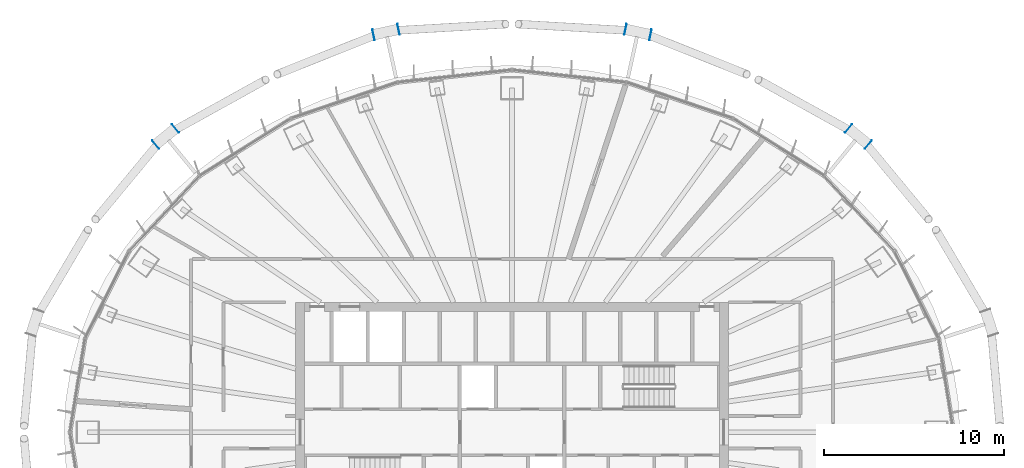
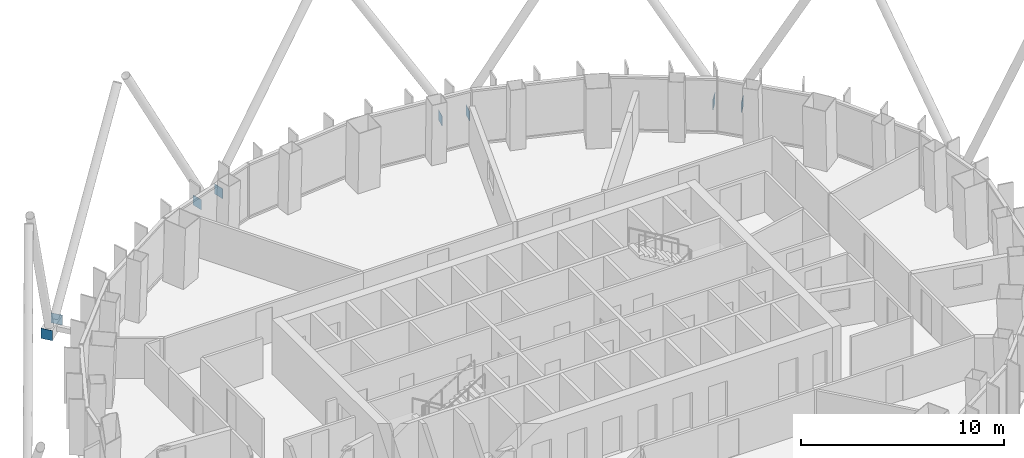
# One storey, part 14 of 18: 8 discrete accessories.
"""IFC4 building model written with IfcOpenShell, lengths in metres."""

from ifc_helpers import new_model, si_unit, direction, frame, origin, origin_2d, place, context, subcontext, project, spatial, rectangle, extrude, material, layer, layer_set, type_object, element, save


model = new_model("IFC4")

# Units and contexts
model_context = context("Model", 3, precision=1e-05, world=origin(), true_north=direction((0.0, 1.0)))
body_context = subcontext(model_context, "Body", "Model", "MODEL_VIEW")
ifc_project = project(units=[si_unit("LENGTHUNIT", "METRE"), si_unit("AREAUNIT", "SQUARE_METRE"), si_unit("VOLUMEUNIT", "CUBIC_METRE"), si_unit("PLANEANGLEUNIT", "RADIAN"), si_unit("MASSUNIT", "GRAM", prefix="KILO")], contexts=[model_context])

# Site, building, storey
site_placement = place(None, origin())
site = spatial("IfcSite", under=ifc_project, at=site_placement, CompositionType="ELEMENT")
building_placement = place(site_placement, origin())
building = spatial("IfcBuilding", under=site, at=building_placement, Name="Siaravel Broadcast Tower", CompositionType="ELEMENT")
storey_placement = place(building_placement, frame((0.0, 0.0, 141.5)))
storey = spatial("IfcBuildingStorey", under=building, at=storey_placement, Name="L34", CompositionType="ELEMENT", Elevation=141.5)

# Discrete accessories
ifc_material = material(Name="Steel S355", Category="steel")
ifc_layer = layer(ifc_material, 0.02001953125)
ifc_layer_set = layer_set([ifc_layer], Name="Steel S355")
discrete_accessory_type = type_object("IfcDiscreteAccessoryType", Name="Steel end plate 20 mm", PredefinedType="USERDEFINED", material=ifc_layer_set)
for number, where, z_axis, x_axis, name in (
    (1, (18.660888671875, 16.8466796875, -0.5), (0.0, 0.0, 1.0), (-0.773602482, 0.633671208, 0.0), "End plate R14 station 09A"),
    (2, (19.759033203125, 15.947265625, -0.5), (0.0, 0.0, 1.0), (-0.773602482, 0.633671208, 0.0), "End plate R14 station 09B"),
    (3, (6.292236328125, 22.3427734375, -0.5), (0.0, 0.0, 1.0), (-0.976750543, 0.214379048, 0.0), "End plate R14 station 15A"),
    (4, (7.678955078125, 22.038330078125, -0.5), (0.0, 0.0, 1.0), (-0.976750543, 0.214379048, 0.0), "End plate R14 station 15B"),
    (5, (-7.678955078125, 22.038330078125, -0.5), (0.0, 0.0, 1.0), (-0.976750543, -0.214379048, 0.0), "End plate R14 station 21A"),
    (6, (-6.292236328125, 22.3427734375, -0.5), (0.0, 0.0, 1.0), (-0.976750543, -0.214379048, 0.0), "End plate R14 station 21B"),
    (7, (-19.759033203125, 15.947265625, -0.5), (0.0, 0.0, 1.0), (-0.773602482, -0.633671208, 0.0), "End plate R14 station 27A"),
    (8, (-18.660888671875, 16.8466796875, -0.5), (0.0, 0.0, 1.0), (-0.773602482, -0.633671208, 0.0), "End plate R14 station 27B"),
):
    element("IfcDiscreteAccessory", number, at=place(storey_placement, frame(where, z_axis=z_axis, x_axis=x_axis)), inside=storey, type_object=discrete_accessory_type, Name=name, ObjectType="END PLATE", PredefinedType="USERDEFINED", context=body_context, shape_type="SweptSolid", body=[
        extrude(rectangle(XDim=0.02001953125, YDim=0.60009765625, at=origin_2d()), origin(), (0.0, 0.0, 1.0), 0.60009765625),
    ])

save(model, "model.ifc")
